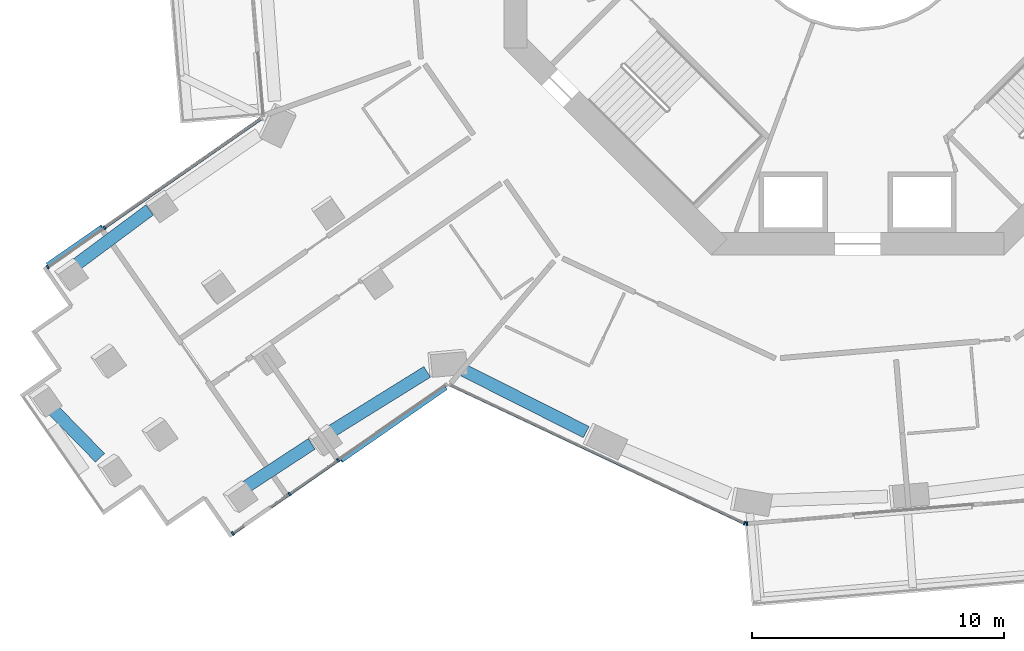
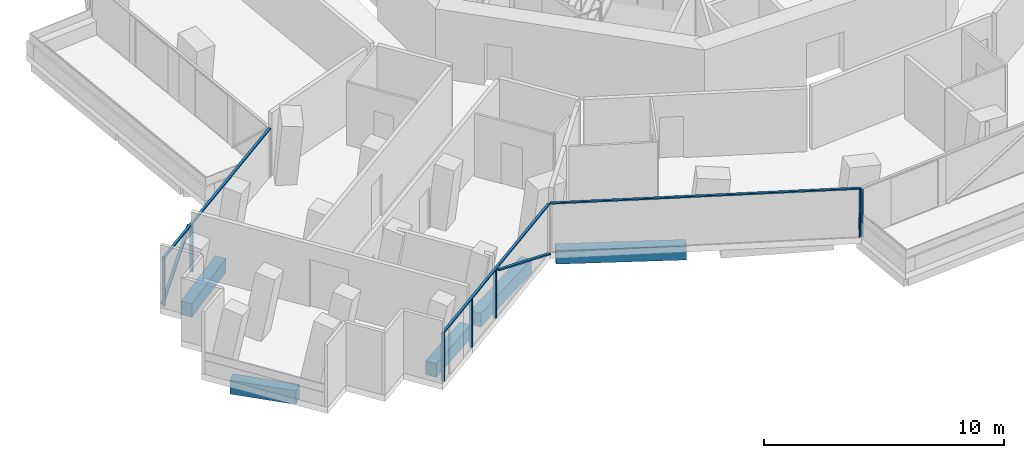
# One storey, part 2 of 26: 12 members, 5 beams, 4 elements without a shape of their own.
"""IFC4 building model written with IfcOpenShell, lengths in metres."""

from ifc_helpers import new_model, si_unit, direction, frame, origin, origin_2d, place, context, subcontext, project, spatial, rectangle, extrude, material, layer, layer_set, material_profile, profile_set, type_object, element, aggregate, save


model = new_model("IFC4")

# Units and contexts
model_context = context("Model", 3, precision=1e-05, world=origin(), true_north=direction((0.0, 1.0)))
body_context = subcontext(model_context, "Body", "Model", "MODEL_VIEW")
ifc_project = project(units=[si_unit("LENGTHUNIT", "METRE"), si_unit("AREAUNIT", "SQUARE_METRE"), si_unit("VOLUMEUNIT", "CUBIC_METRE"), si_unit("PLANEANGLEUNIT", "RADIAN"), si_unit("MASSUNIT", "GRAM", prefix="KILO")], contexts=[model_context])

# Site, building, storey
site_placement = place(None, origin())
site = spatial("IfcSite", under=ifc_project, at=site_placement, CompositionType="ELEMENT")
building_placement = place(site_placement, origin())
building = spatial("IfcBuilding", under=site, at=building_placement, Name="Verdalira Terraces Hotel", CompositionType="ELEMENT")
storey_placement = place(building_placement, frame((0.0, 0.0, 53.0)))
storey = spatial("IfcBuildingStorey", under=building, at=storey_placement, Name="L11", CompositionType="ELEMENT", Elevation=53.0)

# Curtain wall, member
ifc_material_1 = material(Name="Clear glass", Category="glass")
ifc_layer_1 = layer(ifc_material_1, 0.14990234375)
ifc_layer_set_1 = layer_set([ifc_layer_1], Name="CW1 curtain wall")
curtain_wall_type_1 = type_object("IfcCurtainWallType", Name="CW1 curtain wall", PredefinedType="NOTDEFINED", material=ifc_layer_set_1)
curtain_wall_1_placement = place(storey_placement, origin())
curtain_wall_1 = element("IfcCurtainWall", 1, at=curtain_wall_1_placement, inside=storey, type_object=curtain_wall_type_1, Name="CW1 curtain wall L11 edge 25", PredefinedType="NOTDEFINED")
ifc_material_2 = material(Name="Terracotta frame", Category="masonry")
ifc_material_profile_1 = material_profile(ifc_material_2, rectangle(XDim=0.060059, YDim=0.149902, at=origin_2d()), Name="MU 60x150")
ifc_profile_set_1 = profile_set([ifc_material_profile_1], Name="Terracotta frame")
member_type_1 = type_object("IfcMemberType", Name="CW1 mullion 60x150", PredefinedType="MULLION", material=ifc_profile_set_1)
member_1_placement = place(storey_placement, frame((-4.479004, -24.619385, 0.0), z_axis=(0.0, 0.0, 1.0), x_axis=(0.904827052, -0.425779292, 0.0)))
member_1 = element("IfcMember", 2, at=member_1_placement, type_object=member_type_1, Name="CW1 mullion", PredefinedType="MULLION", context=body_context, shape_type="SweptSolid", body=[
    extrude(rectangle(XDim=0.060059, YDim=0.149902, at=origin_2d()), origin(), (0.0, 0.0, 1.0), 2.425049),
])

curtain_wall_2_placement = place(storey_placement, origin())
curtain_wall_2 = element("IfcCurtainWall", 3, at=curtain_wall_2_placement, inside=storey, type_object=curtain_wall_type_1, Name="CW1 curtain wall L11 edge 26", PredefinedType="NOTDEFINED")
member_2_placement = place(storey_placement, frame((-4.383545, -24.636475, 0.0), z_axis=(0.0, 0.0, 1.0), x_axis=(0.996492859, 0.083677843, 0.0)))
member_2 = element("IfcMember", 4, at=member_2_placement, type_object=member_type_1, Name="CW1 mullion", PredefinedType="MULLION", context=body_context, shape_type="SweptSolid", body=[
    extrude(rectangle(XDim=0.060059, YDim=0.149902, at=origin_2d()), origin(), (0.0, 0.0, 1.0), 2.425049),
])
aggregate(curtain_wall_2, [member_2])

# Member
ifc_material_3 = material(Name="Terracotta frame", Category="masonry")
ifc_material_profile_2 = material_profile(ifc_material_3, rectangle(XDim=0.110107, YDim=0.064941, at=origin_2d()), Name="TR 65x110")
ifc_profile_set_2 = profile_set([ifc_material_profile_2], Name="Terracotta frame")
member_type_2 = type_object("IfcMemberType", Name="CW1 transom 65x110", PredefinedType="USERDEFINED", material=ifc_profile_set_2)
member_3_placement = place(storey_placement, frame((-16.178223, -19.114258, 2.45752), z_axis=(0.904835352, -0.425761654, 0.0), x_axis=(0.425761654, 0.904835352, 0.0)))
member_3 = element("IfcMember", 5, at=member_3_placement, type_object=member_type_2, Name="CW1 transom", ObjectType="TRANSOM", PredefinedType="USERDEFINED", context=body_context, shape_type="SweptSolid", body=[
    extrude(rectangle(XDim=0.110107, YDim=0.064941, at=origin_2d()), origin(), (0.0, 0.0, 1.0), 12.959961),
])

aggregate(curtain_wall_1, [member_1, member_3])

# Curtain wall, members
ifc_material_4 = material(Name="Clear glass", Category="glass")
ifc_layer_2 = layer(ifc_material_4, 0.14990234375)
ifc_layer_set_2 = layer_set([ifc_layer_2], Name="CW2 curtain wall")
curtain_wall_type_2 = type_object("IfcCurtainWallType", Name="CW2 curtain wall", PredefinedType="NOTDEFINED", material=ifc_layer_set_2)
curtain_wall_3_placement = place(storey_placement, origin())
curtain_wall_3 = element("IfcCurtainWall", 6, at=curtain_wall_3_placement, inside=storey, type_object=curtain_wall_type_2, Name="CW2 curtain wall L11 edge 14", PredefinedType="NOTDEFINED")
ifc_material_5 = material(Name="Terracotta frame", Category="masonry")
ifc_material_profile_3 = material_profile(ifc_material_5, rectangle(XDim=0.070068, YDim=0.149902, at=origin_2d()), Name="MU 70x150")
ifc_profile_set_3 = profile_set([ifc_material_profile_3], Name="Terracotta frame")
member_type_3 = type_object("IfcMemberType", Name="CW2 mullion 70x150", PredefinedType="MULLION", material=ifc_profile_set_3)
member_4_placement = place(storey_placement, frame((-29.837646, -12.91333, 0.0), z_axis=(0.0, 0.0, 1.0), x_axis=(-0.821149209, -0.570713568, 0.0)))
member_4 = element("IfcMember", 7, at=member_4_placement, type_object=member_type_3, Name="CW2 mullion", PredefinedType="MULLION", context=body_context, shape_type="SweptSolid", body=[
    extrude(rectangle(XDim=0.070068, YDim=0.149902, at=origin_2d()), origin(), (0.0, 0.0, 1.0), 2.425049),
])
member_5_placement = place(storey_placement, frame((-32.083496, -14.474121, 0.0), z_axis=(0.0, 0.0, 1.0), x_axis=(-0.821149209, -0.570713568, 0.0)))
member_5 = element("IfcMember", 8, at=member_5_placement, type_object=member_type_3, Name="CW2 mullion", PredefinedType="MULLION", context=body_context, shape_type="SweptSolid", body=[
    extrude(rectangle(XDim=0.070068, YDim=0.149902, at=origin_2d()), origin(), (0.0, 0.0, 1.0), 2.425049),
])

curtain_wall_4_placement = place(storey_placement, origin())
curtain_wall_4 = element("IfcCurtainWall", 9, at=curtain_wall_4_placement, inside=storey, type_object=curtain_wall_type_2, Name="CW2 curtain wall L11 edge 24", PredefinedType="NOTDEFINED")
member_6_placement = place(storey_placement, frame((-24.749756, -25.025879, 0.0), z_axis=(0.0, 0.0, 1.0), x_axis=(0.821149209, 0.570713568, 0.0)))
member_6 = element("IfcMember", 10, at=member_6_placement, type_object=member_type_3, Name="CW2 mullion", PredefinedType="MULLION", context=body_context, shape_type="SweptSolid", body=[
    extrude(rectangle(XDim=0.070068, YDim=0.149902, at=origin_2d()), origin(), (0.0, 0.0, 1.0), 2.425049),
])
member_7_placement = place(storey_placement, frame((-22.503906, -23.465088, 0.0), z_axis=(0.0, 0.0, 1.0), x_axis=(0.821149209, 0.570713568, 0.0)))
member_7 = element("IfcMember", 11, at=member_7_placement, type_object=member_type_3, Name="CW2 mullion", PredefinedType="MULLION", context=body_context, shape_type="SweptSolid", body=[
    extrude(rectangle(XDim=0.070068, YDim=0.149902, at=origin_2d()), origin(), (0.0, 0.0, 1.0), 2.425049),
])
member_8_placement = place(storey_placement, frame((-20.577393, -22.125977, 0.0), z_axis=(0.0, 0.0, 1.0), x_axis=(0.821149209, 0.570713568, 0.0)))
member_8 = element("IfcMember", 12, at=member_8_placement, type_object=member_type_3, Name="CW2 mullion", PredefinedType="MULLION", context=body_context, shape_type="SweptSolid", body=[
    extrude(rectangle(XDim=0.070068, YDim=0.149902, at=origin_2d()), origin(), (0.0, 0.0, 1.0), 2.425049),
])

# Member
ifc_material_6 = material(Name="Terracotta frame", Category="masonry")
ifc_material_profile_4 = material_profile(ifc_material_6, rectangle(XDim=0.11499, YDim=0.064941, at=origin_2d()), Name="TR 65x115")
ifc_profile_set_4 = profile_set([ifc_material_profile_4], Name="Terracotta frame")
member_type_4 = type_object("IfcMemberType", Name="CW2 transom 65x115", PredefinedType="USERDEFINED", material=ifc_profile_set_4)
member_9_placement = place(storey_placement, frame((-23.586426, -8.568604, 2.45752), z_axis=(-0.821153862, -0.570706872, 0.0), x_axis=(0.570706872, -0.821153862, 0.0)))
member_9 = element("IfcMember", 13, at=member_9_placement, type_object=member_type_4, Name="CW2 transom", ObjectType="TRANSOM", PredefinedType="USERDEFINED", context=body_context, shape_type="SweptSolid", body=[
    extrude(rectangle(XDim=0.11499, YDim=0.064941, at=origin_2d()), origin(), (0.0, 0.0, 1.0), 10.382812),
])

member_10_placement = place(storey_placement, frame((-24.778564, -25.045898, 2.45752), z_axis=(0.821146204, 0.570717892, 0.0), x_axis=(-0.570717892, 0.821146204, 0.0)))
member_10 = element("IfcMember", 14, at=member_10_placement, type_object=member_type_4, Name="CW2 transom", ObjectType="TRANSOM", PredefinedType="USERDEFINED", context=body_context, shape_type="SweptSolid", body=[
    extrude(rectangle(XDim=0.11499, YDim=0.064941, at=origin_2d()), origin(), (0.0, 0.0, 1.0), 10.382568),
])

ifc_material_7 = material(Name="Terracotta frame", Category="masonry")
ifc_material_profile_5 = material_profile(ifc_material_7, rectangle(XDim=0.149902, YDim=0.060059, at=origin_2d()), Name="GB 60x150")
ifc_profile_set_5 = profile_set([ifc_material_profile_5], Name="Terracotta frame")
member_type_5 = type_object("IfcMemberType", Name="Diagonal glazing bar 60x150", PredefinedType="USERDEFINED", material=ifc_profile_set_5)
member_11_placement = place(storey_placement, frame((-29.939697, -12.873291, 2.401367), z_axis=(-0.607317602, -0.422130303, -0.673031454), x_axis=(0.570744175, -0.821127935, 0.0)))
member_11 = element("IfcMember", 15, at=member_11_placement, type_object=member_type_5, Name="Diagonal glazing bar", ObjectType="GLAZING BAR", PredefinedType="USERDEFINED", context=body_context, shape_type="SweptSolid", body=[
    extrude(rectangle(XDim=0.149902, YDim=0.060059, at=origin_2d()), origin(), (0.0, 0.0, 1.0), 3.533203),
])

aggregate(curtain_wall_3, [member_4, member_5, member_9, member_11])

member_12_placement = place(storey_placement, frame((-20.447754, -22.146729, 2.396973), z_axis=(0.74320895, 0.516551913, -0.425222975), x_axis=(-0.570719704, 0.821144944, 0.0)))
member_12 = element("IfcMember", 16, at=member_12_placement, type_object=member_type_5, Name="Diagonal glazing bar", ObjectType="GLAZING BAR", PredefinedType="USERDEFINED", context=body_context, shape_type="SweptSolid", body=[
    extrude(rectangle(XDim=0.149902, YDim=0.060059, at=origin_2d()), origin(), (0.0, 0.0, 1.0), 5.571045),
])

aggregate(curtain_wall_4, [member_6, member_7, member_8, member_10, member_12])

# Beams
ifc_material_8 = material(Name="Concrete C70", Category="concrete")
ifc_material_profile_6 = material_profile(ifc_material_8, rectangle(XDim=0.5, YDim=0.699951, at=origin_2d()), Name="RC 500X700")
ifc_profile_set_6 = profile_set([ifc_material_profile_6], Name="Concrete C70")
beam_type = type_object("IfcBeamType", Name="Spandrel beam RC 500X700 C70", PredefinedType="SPANDREL", material=ifc_profile_set_6)
beam_1_placement = place(storey_placement, frame((-28.041992, -12.208984, -0.659912), z_axis=(-0.802383876, -0.596808273, 0.0), x_axis=(0.596808273, -0.802383876, 0.0)))
element("IfcBeam", 17, at=beam_1_placement, inside=storey, type_object=beam_type, Name="Spandrel beam B15", PredefinedType="SPANDREL", context=body_context, shape_type="SweptSolid", body=[
    extrude(rectangle(XDim=0.5, YDim=0.699951, at=origin_2d()), origin(), (0.0, 0.0, 1.0), 3.591309),
])
beam_2_placement = place(storey_placement, frame((-32.01001, -19.980469, -0.659912), z_axis=(0.699310246, -0.714818284, 0.0), x_axis=(0.714818284, 0.699310246, 0.0)))
element("IfcBeam", 18, at=beam_2_placement, inside=storey, type_object=beam_type, Name="Spandrel beam B16", PredefinedType="SPANDREL", context=body_context, shape_type="SweptSolid", body=[
    extrude(rectangle(XDim=0.5, YDim=0.699951, at=origin_2d()), origin(), (0.0, 0.0, 1.0), 2.865234),
])
beam_3_placement = place(storey_placement, frame((-24.285889, -23.218506, -0.659912), z_axis=(0.836652885, 0.547733466, 0.0), x_axis=(-0.547733466, 0.836652885, 0.0)))
element("IfcBeam", 19, at=beam_3_placement, inside=storey, type_object=beam_type, Name="Spandrel beam B17", PredefinedType="SPANDREL", context=body_context, shape_type="SweptSolid", body=[
    extrude(rectangle(XDim=0.5, YDim=0.699951, at=origin_2d()), origin(), (0.0, 0.0, 1.0), 3.178955),
])
beam_4_placement = place(storey_placement, frame((-20.852051, -20.983643, -0.659912), z_axis=(0.849603909, 0.527421272, 0.0), x_axis=(-0.527421272, 0.849603909, 0.0)))
element("IfcBeam", 20, at=beam_4_placement, inside=storey, type_object=beam_type, Name="Spandrel beam B18", PredefinedType="SPANDREL", context=body_context, shape_type="SweptSolid", body=[
    extrude(rectangle(XDim=0.5, YDim=0.699951, at=origin_2d()), origin(), (0.0, 0.0, 1.0), 4.473877),
])
beam_5_placement = place(storey_placement, frame((-15.604004, -18.561279, -0.659912), z_axis=(0.892760199, -0.450532159, 0.0), x_axis=(0.450532159, 0.892760199, 0.0)))
element("IfcBeam", 21, at=beam_5_placement, inside=storey, type_object=beam_type, Name="Spandrel beam B19", PredefinedType="SPANDREL", context=body_context, shape_type="SweptSolid", body=[
    extrude(rectangle(XDim=0.5, YDim=0.699951, at=origin_2d()), origin(), (0.0, 0.0, 1.0), 5.438965),
])

save(model, "model.ifc")
